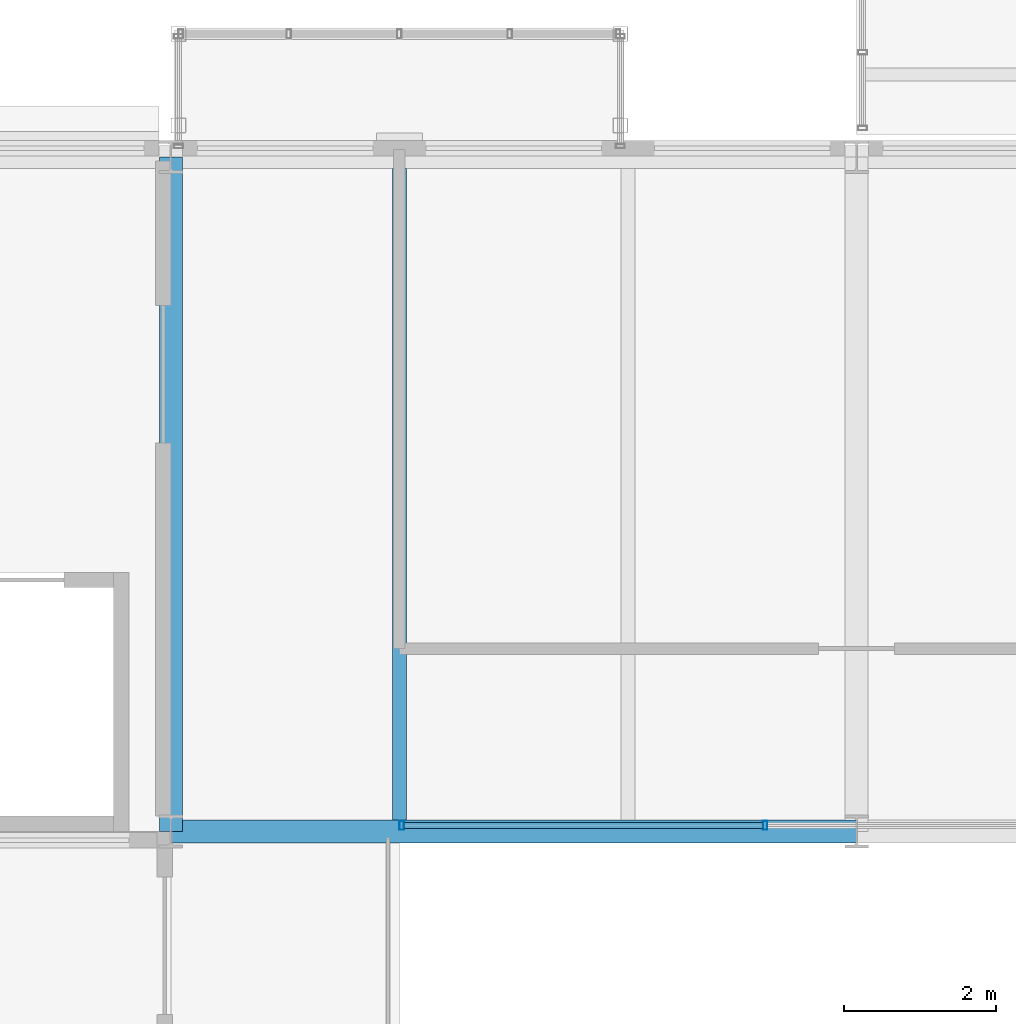
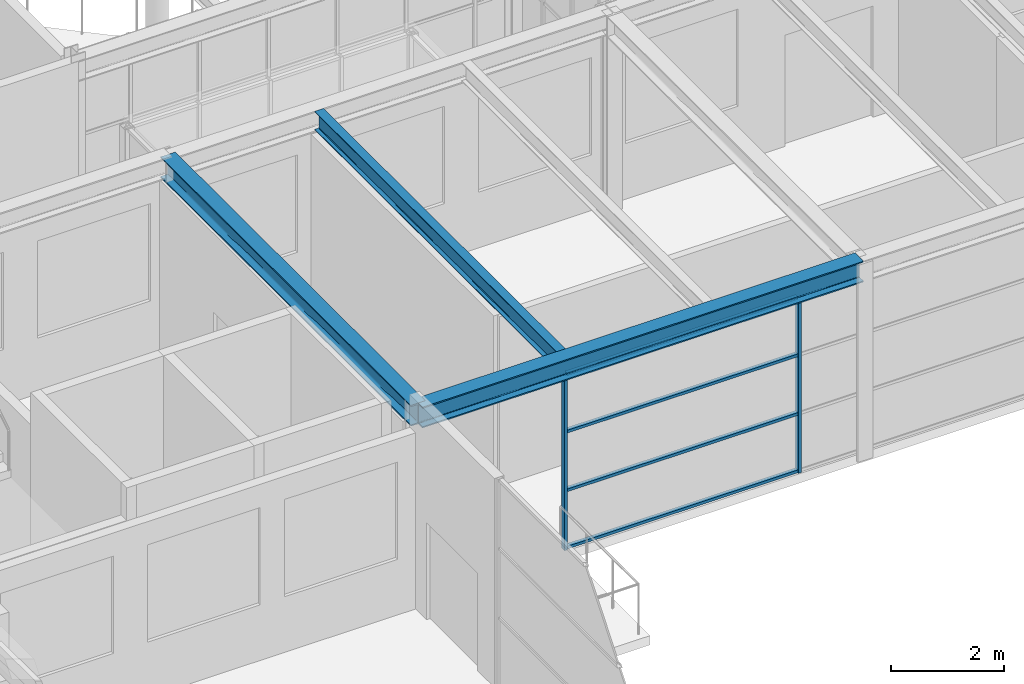
# One storey, part 24 of 70: 6 members, 3 beams, 1 element without a shape of its own.
"""IFC4 building model written with IfcOpenShell, lengths in metres."""

from ifc_helpers import new_model, si_unit, direction, frame, origin, origin_2d, place, context, subcontext, project, spatial, hollow_rectangle, i_section, extrude, material, material_profile, profile_set, type_object, element, aggregate, save


model = new_model("IFC4")

# Units and contexts
model_context = context("Model", 3, precision=1e-05, world=origin(), true_north=direction((0.0, 1.0)))
body_context = subcontext(model_context, "Body", "Model", "MODEL_VIEW")
ifc_project = project(units=[si_unit("LENGTHUNIT", "METRE"), si_unit("AREAUNIT", "SQUARE_METRE"), si_unit("VOLUMEUNIT", "CUBIC_METRE"), si_unit("PLANEANGLEUNIT", "RADIAN"), si_unit("MASSUNIT", "GRAM", prefix="KILO")], contexts=[model_context])

# Site, building, storey
site_placement = place(None, origin())
site = spatial("IfcSite", under=ifc_project, at=site_placement, CompositionType="ELEMENT")
building_placement = place(site_placement, origin())
building = spatial("IfcBuilding", under=site, at=building_placement, Name="Kallimachos Central Library", CompositionType="ELEMENT")
storey_placement = place(building_placement, frame((0.0, 0.0, 18.89990234375)))
storey = spatial("IfcBuildingStorey", under=building, at=storey_placement, Name="L04", CompositionType="ELEMENT", Elevation=18.89990234375)

# Curtain wall, members
ifc_material_1 = material(Name="Aluminium and laminated glass", Category="aluminium")
curtain_wall_type = type_object("IfcCurtainWallType", Name="Atrium glazed screen", PredefinedType="NOTDEFINED", material=ifc_material_1)
curtain_wall_placement = place(storey_placement, origin())
curtain_wall = element("IfcCurtainWall", 1, at=curtain_wall_placement, inside=storey, type_object=curtain_wall_type, Name="L04 atrium screen N", PredefinedType="NOTDEFINED")
ifc_material_2 = material(Name="Anodised aluminium", Category="aluminium")
ifc_material_profile_1 = material_profile(ifc_material_2, hollow_rectangle(XDim=0.06005859375, YDim=0.1201171875, WallThickness=0.00390625, at=origin_2d()), Name="ALU MULLION 60x120")
ifc_profile_set_1 = profile_set([ifc_material_profile_1], Name="Anodised aluminium")
member_type_1 = type_object("IfcMemberType", Name="Atrium screen mullion", PredefinedType="MULLION", material=ifc_profile_set_1)
member_1_placement = place(storey_placement, frame((77.530029296875, 75.080078125, 0.0), z_axis=(0.0, 0.0, 1.0), x_axis=(1.0, 0.0, 0.0)))
member_1 = element("IfcMember", 2, at=member_1_placement, type_object=member_type_1, Name="CW mullion 1", PredefinedType="MULLION", context=body_context, shape_type="SweptSolid", body=[
    extrude(hollow_rectangle(XDim=0.06005859375, YDim=0.1201171875, WallThickness=0.00390625, at=origin_2d()), origin(), (0.0, 0.0, 1.0), 3.800048828125),
])
member_2_placement = place(storey_placement, frame((82.300048828125, 75.080078125, 0.0), z_axis=(0.0, 0.0, 1.0), x_axis=(1.0, 0.0, 0.0)))
member_2 = element("IfcMember", 3, at=member_2_placement, type_object=member_type_1, Name="CW mullion 2", PredefinedType="MULLION", context=body_context, shape_type="SweptSolid", body=[
    extrude(hollow_rectangle(XDim=0.06005859375, YDim=0.1201171875, WallThickness=0.00390625, at=origin_2d()), origin(), (0.0, 0.0, 1.0), 3.800048828125),
])
ifc_material_3 = material(Name="Anodised aluminium", Category="aluminium")
ifc_material_profile_2 = material_profile(ifc_material_3, hollow_rectangle(XDim=0.06005859375, YDim=0.080078125, WallThickness=0.00390625, at=origin_2d()), Name="ALU TRANSOM 60x80")
ifc_profile_set_2 = profile_set([ifc_material_profile_2], Name="Anodised aluminium")
member_type_2 = type_object("IfcMemberType", Name="Atrium screen transom", PredefinedType="USERDEFINED", material=ifc_profile_set_2)
member_3_placement = place(storey_placement, frame((77.56005859375, 75.080078125, 0.030029296875), z_axis=(1.0, 0.0, 0.0), x_axis=(0.0, 0.0, 1.0)))
member_3 = element("IfcMember", 4, at=member_3_placement, type_object=member_type_2, Name="CW transom 1.1", ObjectType="TRANSOM", PredefinedType="USERDEFINED", context=body_context, shape_type="SweptSolid", body=[
    extrude(hollow_rectangle(XDim=0.06005859375, YDim=0.080078125, WallThickness=0.00390625, at=origin_2d()), origin(), (0.0, 0.0, 1.0), 4.7099609375),
])
member_4_placement = place(storey_placement, frame((77.56005859375, 75.080078125, 1.266845703125), z_axis=(1.0, 0.0, 0.0), x_axis=(0.0, 0.0, 1.0)))
member_4 = element("IfcMember", 5, at=member_4_placement, type_object=member_type_2, Name="CW transom 1.2", ObjectType="TRANSOM", PredefinedType="USERDEFINED", context=body_context, shape_type="SweptSolid", body=[
    extrude(hollow_rectangle(XDim=0.06005859375, YDim=0.080078125, WallThickness=0.00390625, at=origin_2d()), origin(), (0.0, 0.0, 1.0), 4.7099609375),
])
member_5_placement = place(storey_placement, frame((77.56005859375, 75.080078125, 2.533447265625), z_axis=(1.0, 0.0, 0.0), x_axis=(0.0, 0.0, 1.0)))
member_5 = element("IfcMember", 6, at=member_5_placement, type_object=member_type_2, Name="CW transom 1.3", ObjectType="TRANSOM", PredefinedType="USERDEFINED", context=body_context, shape_type="SweptSolid", body=[
    extrude(hollow_rectangle(XDim=0.06005859375, YDim=0.080078125, WallThickness=0.00390625, at=origin_2d()), origin(), (0.0, 0.0, 1.0), 4.7099609375),
])
member_6_placement = place(storey_placement, frame((77.56005859375, 75.080078125, 3.77001953125), z_axis=(1.0, 0.0, 0.0), x_axis=(0.0, 0.0, 1.0)))
member_6 = element("IfcMember", 7, at=member_6_placement, type_object=member_type_2, Name="CW transom 1.4", ObjectType="TRANSOM", PredefinedType="USERDEFINED", context=body_context, shape_type="SweptSolid", body=[
    extrude(hollow_rectangle(XDim=0.06005859375, YDim=0.080078125, WallThickness=0.00390625, at=origin_2d()), origin(), (0.0, 0.0, 1.0), 4.7099609375),
])
aggregate(curtain_wall, [member_1, member_2, member_3, member_4, member_5, member_6])

# Beams
ifc_material_4 = material(Name="Steel S355J2", Category="steel")
ifc_material_profile_3 = material_profile(ifc_material_4, i_section(OverallWidth=0.300048828125, OverallDepth=0.449951171875, WebThickness=0.013916015625, FlangeThickness=0.02587890625, FilletRadius=0.027099609375, at=origin_2d()), Name="HEB 450")
ifc_profile_set_3 = profile_set([ifc_material_profile_3], Name="Steel S355J2")
beam_type_1 = type_object("IfcBeamType", Name="HEB 450 beam", PredefinedType="BEAM", material=ifc_profile_set_3)
beam_1_placement = place(storey_placement, frame((74.5, 75.0, 4.025146484375), z_axis=(1.0, 0.0, 0.0), x_axis=(0.0, 1.0, 0.0)))
element("IfcBeam", 8, at=beam_1_placement, inside=storey, type_object=beam_type_1, Name="V4-BEM-L04-001", PredefinedType="BEAM", context=body_context, shape_type="SweptSolid", body=[
    extrude(i_section(OverallWidth=0.300048828125, OverallDepth=0.449951171875, WebThickness=0.013916015625, FlangeThickness=0.02587890625, FilletRadius=0.027099609375, at=origin_2d()), origin(), (0.0, 0.0, 1.0), 9.0),
])
beam_2_placement = place(storey_placement, frame((74.5, 75.0, 4.025146484375), z_axis=(0.0, 1.0, 0.0), x_axis=(-1.0, 0.0, 0.0)))
element("IfcBeam", 9, at=beam_2_placement, inside=storey, type_object=beam_type_1, Name="V4-BEM-L04-010", PredefinedType="BEAM", context=body_context, shape_type="SweptSolid", body=[
    extrude(i_section(OverallWidth=0.300048828125, OverallDepth=0.449951171875, WebThickness=0.013916015625, FlangeThickness=0.02587890625, FilletRadius=0.027099609375, at=origin_2d()), origin(), (0.0, 0.0, 1.0), 8.85009765625),
])
ifc_material_5 = material(Name="Steel S355J2", Category="steel")
ifc_material_profile_4 = material_profile(ifc_material_5, i_section(OverallWidth=0.179931640625, OverallDepth=0.39990234375, WebThickness=0.008544921875, FlangeThickness=0.013427734375, FilletRadius=0.02099609375, at=origin_2d()), Name="IPE 400")
ifc_profile_set_4 = profile_set([ifc_material_profile_4], Name="Steel S355J2")
beam_type_2 = type_object("IfcBeamType", Name="IPE 400 beam", PredefinedType="BEAM", material=ifc_profile_set_4)
beam_3_placement = place(storey_placement, frame((77.5, 75.14990234375, 4.050048828125), z_axis=(0.0, 1.0, 0.0), x_axis=(-1.0, 0.0, 0.0)))
element("IfcBeam", 10, at=beam_3_placement, inside=storey, type_object=beam_type_2, Name="V4-BEM-L04-015", PredefinedType="BEAM", context=body_context, shape_type="SweptSolid", body=[
    extrude(i_section(OverallWidth=0.179931640625, OverallDepth=0.39990234375, WebThickness=0.008544921875, FlangeThickness=0.013427734375, FilletRadius=0.02099609375, at=origin_2d()), origin(), (0.0, 0.0, 1.0), 8.550048828125),
])

save(model, "model.ifc")
